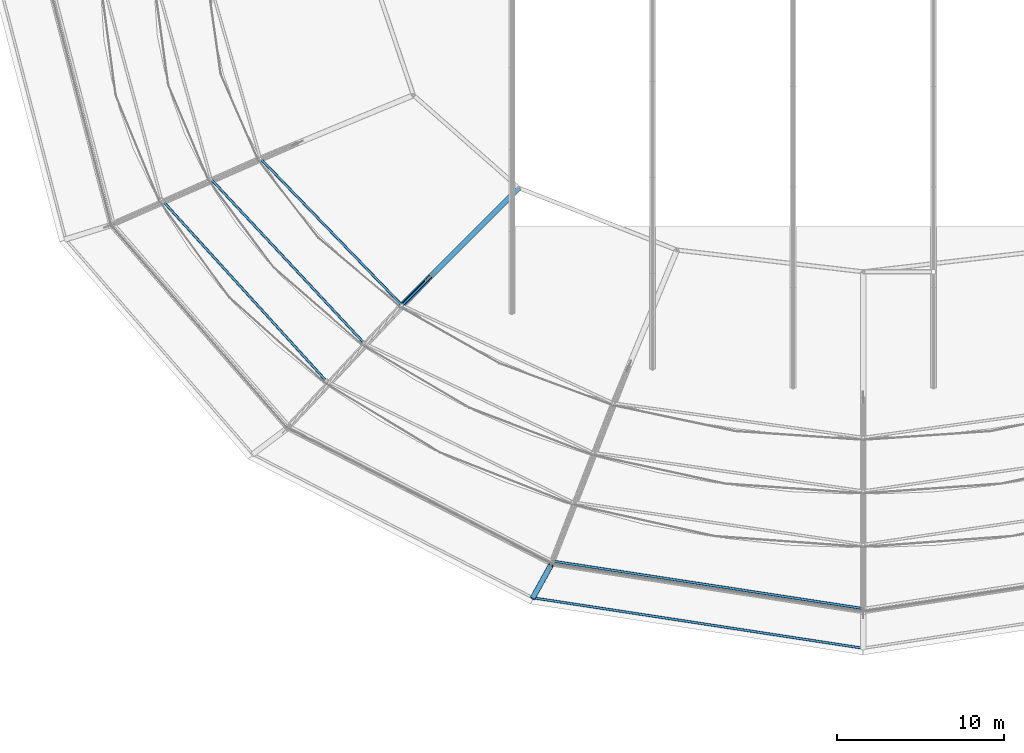
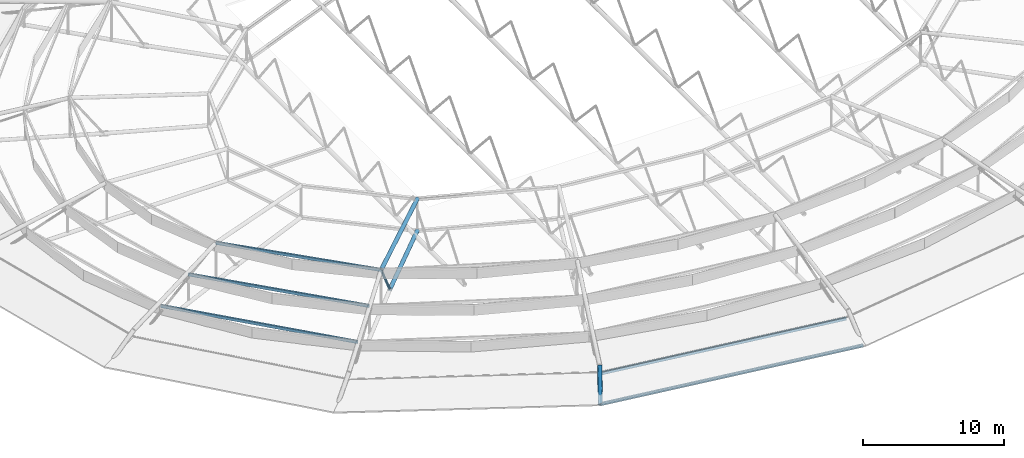
# One storey, part 9 of 134: 5 beams, 5 members.
"""IFC4 building model written with IfcOpenShell, lengths in metres."""

from ifc_helpers import new_model, si_unit, derived_unit, direction, frame, origin, origin_2d, place, context, subcontext, project, spatial, hollow_rectangle, hollow_circle, extrude, material, material_profile, profile_set, type_object, element, save


model = new_model("IFC4")

# Units and contexts
model_context = context("Model", 3, precision=1e-05, world=origin(), true_north=direction((0.0, 1.0)))
body_context = subcontext(model_context, "Body", "Model", "MODEL_VIEW")
ifc_project = project(units=[si_unit("LENGTHUNIT", "METRE"), si_unit("AREAUNIT", "SQUARE_METRE"), si_unit("VOLUMEUNIT", "CUBIC_METRE"), si_unit("PLANEANGLEUNIT", "RADIAN"), si_unit("MASSUNIT", "GRAM", prefix="KILO"), derived_unit("THERMALTRANSMITTANCEUNIT", [(si_unit("MASSUNIT", "GRAM", prefix="KILO"), 1), (si_unit("TIMEUNIT", "SECOND"), -3), (si_unit("THERMODYNAMICTEMPERATUREUNIT", "KELVIN"), -1)])], contexts=[model_context])

# Site, building, storey
site_placement = place(None, origin())
site = spatial("IfcSite", under=ifc_project, at=site_placement, CompositionType="ELEMENT")
building_placement = place(site_placement, origin())
building = spatial("IfcBuilding", under=site, at=building_placement, Name="Kharveza Railside Sports Centre", CompositionType="ELEMENT")
storey_placement = place(building_placement, frame((0.0, 0.0, 12.89990234375)))
storey = spatial("IfcBuildingStorey", under=building, at=storey_placement, Name="L03", CompositionType="ELEMENT", Elevation=12.89990234375)

# Beams
ifc_material = material(Name="Steel S355J2", Category="steel")
ifc_material_profile_1 = material_profile(ifc_material, hollow_rectangle(XDim=0.14990234375, YDim=0.25, WallThickness=0.010009765625, InnerFilletRadius=0.010009765625, OuterFilletRadius=0.02001953125, at=origin_2d()), Name="RHS 150x250x10.0")
ifc_profile_set_1 = profile_set([ifc_material_profile_1], Name="Steel S355J2")
beam_type = type_object("IfcBeamType", Name="BM-SP04", PredefinedType="SPANDREL", material=ifc_profile_set_1)
beam_1_placement = place(storey_placement, frame((36.05126953125, 16.0068359375, 0.405029296875), z_axis=(0.988530745974, -0.151019747927, 0.0), x_axis=(0.151019747927, 0.988530745974, 0.0)))
element("IfcBeam", 1, at=beam_1_placement, inside=storey, type_object=beam_type, Name="BM-LIDRING-S1-12", PredefinedType="SPANDREL", context=body_context, shape_type="SweptSolid", body=[
    extrude(hollow_rectangle(XDim=0.14990234375, YDim=0.25, WallThickness=0.010009765625, InnerFilletRadius=0.010009765625, OuterFilletRadius=0.02001953125, at=origin_2d()), origin(), (0.0, 0.0, 1.0), 18.763916015625),
])
beam_2_placement = place(storey_placement, frame((12.65576171875, 37.618408203125, 1.35498046875), z_axis=(0.672333188061, -0.740248663782, 0.0), x_axis=(0.740248663782, 0.672333188061, 0.0)))
element("IfcBeam", 2, at=beam_2_placement, inside=storey, type_object=beam_type, Name="BM-LIDRING-S2-10", PredefinedType="SPANDREL", context=body_context, shape_type="SweptSolid", body=[
    extrude(hollow_rectangle(XDim=0.14990234375, YDim=0.25, WallThickness=0.010009765625, InnerFilletRadius=0.010009765625, OuterFilletRadius=0.02001953125, at=origin_2d()), origin(), (0.0, 0.0, 1.0), 14.637939453125),
])
beam_3_placement = place(storey_placement, frame((15.6123046875, 38.843017578125, 2.30517578125), z_axis=(0.682448677194, -0.730933514758, 0.0), x_axis=(0.730933514758, 0.682448677194, 0.0)))
element("IfcBeam", 3, at=beam_3_placement, inside=storey, type_object=beam_type, Name="BM-LIDRING-S3-10", PredefinedType="SPANDREL", context=body_context, shape_type="SweptSolid", body=[
    extrude(hollow_rectangle(XDim=0.14990234375, YDim=0.25, WallThickness=0.010009765625, InnerFilletRadius=0.010009765625, OuterFilletRadius=0.02001953125, at=origin_2d()), origin(), (0.0, 0.0, 1.0), 13.404296875),
])
beam_4_placement = place(storey_placement, frame((18.568603515625, 40.067626953125, 3.255126953125), z_axis=(0.694461723629, -0.719529648044, 0.0), x_axis=(0.719529648044, 0.694461723629, 0.0)))
element("IfcBeam", 4, at=beam_4_placement, inside=storey, type_object=beam_type, Name="BM-LIDRING-S4-10", PredefinedType="SPANDREL", context=body_context, shape_type="SweptSolid", body=[
    extrude(hollow_rectangle(XDim=0.14990234375, YDim=0.25, WallThickness=0.010009765625, InnerFilletRadius=0.010009765625, OuterFilletRadius=0.02001953125, at=origin_2d()), origin(), (0.0, 0.0, 1.0), 12.174072265625),
])
beam_5_placement = place(storey_placement, frame((34.853515625, 13.814453125, -0.47998046875), z_axis=(0.988548071569, -0.150906296081, 0.0), x_axis=(0.150906296081, 0.988548071569, 0.0)))
element("IfcBeam", 5, at=beam_5_placement, inside=storey, type_object=beam_type, Name="BM-LIDRING-RIM-12", PredefinedType="SPANDREL", context=body_context, shape_type="SweptSolid", body=[
    extrude(hollow_rectangle(XDim=0.14990234375, YDim=0.25, WallThickness=0.010009765625, InnerFilletRadius=0.010009765625, OuterFilletRadius=0.02001953125, at=origin_2d()), origin(), (0.0, 0.0, 1.0), 19.975341796875),
])

# Members
ifc_material_profile_2 = material_profile(ifc_material, hollow_circle(Radius=0.161865234375, WallThickness=0.01611328125, at=origin_2d()), Name="CHS 323.9x16.0")
ifc_profile_set_2 = profile_set([ifc_material_profile_2], Name="Steel S355J2")
member_type_1 = type_object("IfcMemberType", Name="MB-CH02", PredefinedType="CHORD", material=ifc_profile_set_2)
member_1_placement = place(storey_placement, frame((34.023193359375, 38.30859375, -0.0498046875), z_axis=(-0.707090505092, -0.707123056906, 0.0), x_axis=(0.707123056906, -0.707090505092, 0.0)))
element("IfcMember", 6, at=member_1_placement, inside=storey, type_object=member_type_1, Name="MB-OUT-BC1-11", PredefinedType="CHORD", context=body_context, shape_type="SweptSolid", body=[
    extrude(hollow_circle(Radius=0.161865234375, WallThickness=0.01611328125, at=origin_2d()), origin(), (0.0, 0.0, 1.0), 7.5),
])
member_2_placement = place(storey_placement, frame((34.023193359375, 38.30859375, 2.7001953125), z_axis=(-0.706018898466, -0.706018898466, 0.055449346423), x_axis=(0.707106781187, -0.707106781187, 0.0)))
element("IfcMember", 7, at=member_2_placement, inside=storey, type_object=member_type_1, Name="MB-OUT-TC1-11", PredefinedType="CHORD", context=body_context, shape_type="SweptSolid", body=[
    extrude(hollow_circle(Radius=0.161865234375, WallThickness=0.01611328125, at=origin_2d()), origin(), (0.0, 0.0, 1.0), 9.91552734375),
])
member_3_placement = place(storey_placement, frame((35.925048828125, 15.75439453125, -0.0498046875), z_axis=(-0.474640779179, -0.859306363945, -0.190548428552), x_axis=(0.875344605841, -0.483499556385, 0.0)))
element("IfcMember", 8, at=member_3_placement, inside=storey, type_object=member_type_1, Name="MB-OUT-BC3-12", PredefinedType="CHORD", context=body_context, shape_type="SweptSolid", body=[
    extrude(hollow_circle(Radius=0.161865234375, WallThickness=0.01611328125, at=origin_2d()), origin(), (0.0, 0.0, 1.0), 2.257568359375),
])
member_4_placement = place(storey_placement, frame((35.925048828125, 15.75439453125, 1.300048828125), z_axis=(-0.376962657333, -0.682466455951, -0.626209782323), x_axis=(0.875344605841, -0.483499556385, 0.0)))
element("IfcMember", 9, at=member_4_placement, inside=storey, type_object=member_type_1, Name="MB-OUT-TC3-12", PredefinedType="CHORD", context=body_context, shape_type="SweptSolid", body=[
    extrude(hollow_circle(Radius=0.161865234375, WallThickness=0.01611328125, at=origin_2d()), origin(), (0.0, 0.0, 1.0), 2.842529296875),
])
ifc_material_profile_3 = material_profile(ifc_material, hollow_circle(Radius=0.096923828125, WallThickness=0.010009765625, at=origin_2d()), Name="CHS 193.7x10.0")
ifc_profile_set_3 = profile_set([ifc_material_profile_3], Name="Steel S355J2")
member_type_2 = type_object("IfcMemberType", Name="MB-ST02", PredefinedType="STRUT", material=ifc_profile_set_3)
member_5_placement = place(storey_placement, frame((28.719970703125, 33.005126953125, -0.0498046875), z_axis=(-0.415960202023, -0.415900368853, 0.808705133853), x_axis=(0.707055919343, -0.707157639372, 0.0)))
element("IfcMember", 10, at=member_5_placement, inside=storey, type_object=member_type_2, Name="MB-OUT-WEB-11-2", PredefinedType="STRUT", context=body_context, shape_type="SweptSolid", body=[
    extrude(hollow_circle(Radius=0.096923828125, WallThickness=0.010009765625, at=origin_2d()), origin(), (0.0, 0.0, 1.0), 4.080322265625),
])

save(model, "model.ifc")
